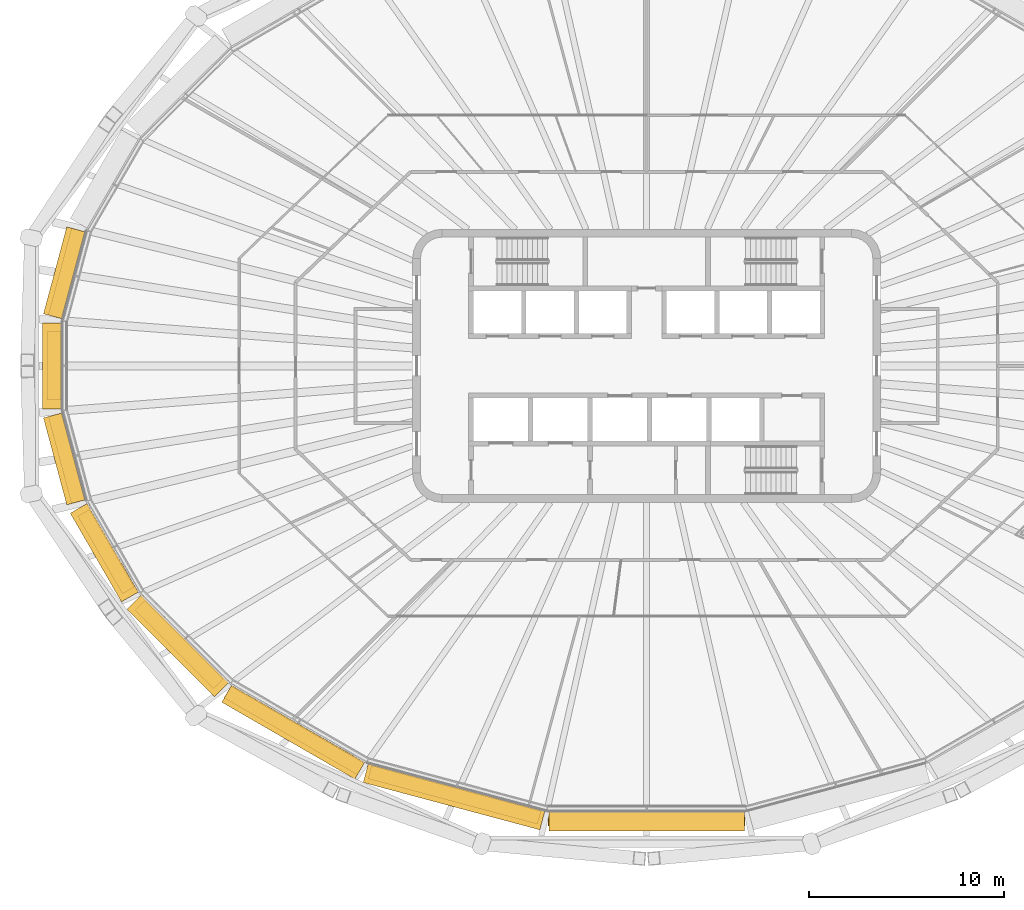
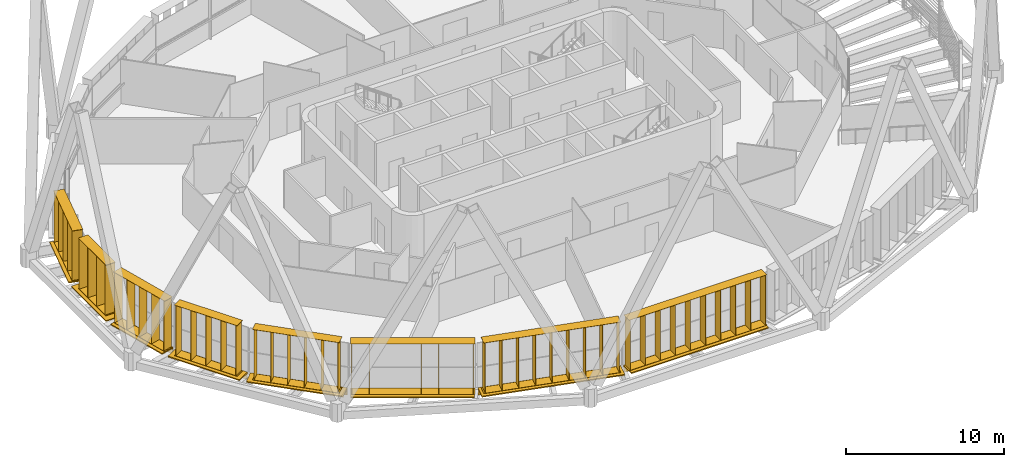
# One storey, part 16 of 20: 16 shading devices.
"""IFC4 building model written with IfcOpenShell, lengths in metres."""

from ifc_helpers import new_model, si_unit, direction, frame, origin, origin_2d, place, context, subcontext, project, spatial, rectangle, extrude, material, type_object, element, save


model = new_model("IFC4")

# Units and contexts
model_context = context("Model", 3, precision=1e-05, world=origin(), true_north=direction((0.0, 1.0)))
body_context = subcontext(model_context, "Body", "Model", "MODEL_VIEW")
ifc_project = project(units=[si_unit("LENGTHUNIT", "METRE"), si_unit("AREAUNIT", "SQUARE_METRE"), si_unit("VOLUMEUNIT", "CUBIC_METRE"), si_unit("PLANEANGLEUNIT", "RADIAN"), si_unit("MASSUNIT", "GRAM", prefix="KILO")], contexts=[model_context])

# Site, building, storey
site_placement = place(None, origin())
site = spatial("IfcSite", under=ifc_project, at=site_placement, CompositionType="ELEMENT")
building_placement = place(site_placement, origin())
building = spatial("IfcBuilding", under=site, at=building_placement, Name="Sahrelin Media Tower", CompositionType="ELEMENT")
storey_placement = place(building_placement, frame((0.0, 0.0, 267.0)))
storey = spatial("IfcBuildingStorey", under=building, at=storey_placement, Name="L58", CompositionType="ELEMENT", Elevation=267.0)

# Shading devices
ifc_material = material(Name="Champagne anodised aluminium 6063-T6", Category="aluminium")
shading_device_type_1 = type_object("IfcShadingDeviceType", Name="Fin cassette", PredefinedType="USERDEFINED", material=ifc_material)
placement_1 = place(storey_placement, frame((-29.343017578125, 4.632080078125, 0.0), z_axis=(0.0, 0.0, 1.0), x_axis=(0.258807731996, 0.965928857556, 0.0)))
element("IfcShadingDevice", 1, at=placement_1, inside=storey, type_object=shading_device_type_1, Name="L58:FIN:L58-11", ObjectType="FIN", PredefinedType="USERDEFINED", context=body_context, shape_type="SweptSolid", body=[
    extrude(rectangle(XDim=4.60009765625, YDim=0.699951171875, at=origin_2d()), frame((0.0, 0.419921875, 0.0)), (0.0, 0.0, 1.0), 0.02001953125),
    extrude(rectangle(XDim=4.60009765625, YDim=0.699951171875, at=origin_2d()), frame((0.0, 0.419921875, 3.89990234375)), (0.0, 0.0, 1.0), 0.02001953125),
    extrude(rectangle(XDim=0.02001953125, YDim=0.699951171875, at=origin_2d()), frame((-2.199951171875, 0.419921875, 0.010009765625), z_axis=(0.0, 0.0, 1.0), x_axis=(1.0, 0.0, 0.0)), (0.0, 0.0, 1.0), 3.89990234375),
    extrude(rectangle(XDim=0.02001953125, YDim=0.699951171875, at=origin_2d()), frame((-1.10009765625, 0.419921875, 0.010009765625), z_axis=(0.0, 0.0, 1.0), x_axis=(1.0, 0.0, 0.0)), (0.0, 0.0, 1.0), 3.89990234375),
    extrude(rectangle(XDim=0.02001953125, YDim=0.699951171875, at=origin_2d()), frame((0.0, 0.419921875, 0.010009765625), z_axis=(0.0, 0.0, 1.0), x_axis=(1.0, 0.0, 0.0)), (0.0, 0.0, 1.0), 3.89990234375),
    extrude(rectangle(XDim=0.02001953125, YDim=0.699951171875, at=origin_2d()), frame((1.10009765625, 0.419921875, 0.010009765625), z_axis=(0.0, 0.0, 1.0), x_axis=(1.0, 0.0, 0.0)), (0.0, 0.0, 1.0), 3.89990234375),
    extrude(rectangle(XDim=0.02001953125, YDim=0.699951171875, at=origin_2d()), frame((2.199951171875, 0.419921875, 0.010009765625), z_axis=(0.0, 0.0, 1.0), x_axis=(1.0, 0.0, 0.0)), (0.0, 0.0, 1.0), 3.89990234375),
])
placement_2 = place(storey_placement, frame((-29.966064453125, 0.0, 0.0), z_axis=(0.0, 0.0, 1.0), x_axis=(0.0, 1.0, 0.0)))
element("IfcShadingDevice", 2, at=placement_2, inside=storey, type_object=shading_device_type_1, Name="L58:FIN:L58-12", ObjectType="FIN", PredefinedType="USERDEFINED", context=body_context, shape_type="SweptSolid", body=[
    extrude(rectangle(XDim=3.5, YDim=0.699951171875, at=origin_2d()), frame((0.0, 0.419921875, 0.0)), (0.0, 0.0, 1.0), 0.02001953125),
    extrude(rectangle(XDim=3.5, YDim=0.699951171875, at=origin_2d()), frame((0.0, 0.419921875, 3.89990234375)), (0.0, 0.0, 1.0), 0.02001953125),
    extrude(rectangle(XDim=0.02001953125, YDim=0.699951171875, at=origin_2d()), frame((-1.64990234375, 0.419921875, 0.010009765625), z_axis=(0.0, 0.0, 1.0), x_axis=(1.0, 0.0, 0.0)), (0.0, 0.0, 1.0), 3.89990234375),
    extrude(rectangle(XDim=0.02001953125, YDim=0.699951171875, at=origin_2d()), frame((-0.550048828125, 0.419921875, 0.010009765625), z_axis=(0.0, 0.0, 1.0), x_axis=(1.0, 0.0, 0.0)), (0.0, 0.0, 1.0), 3.89990234375),
    extrude(rectangle(XDim=0.02001953125, YDim=0.699951171875, at=origin_2d()), frame((0.550048828125, 0.419921875, 0.010009765625), z_axis=(0.0, 0.0, 1.0), x_axis=(1.0, 0.0, 0.0)), (0.0, 0.0, 1.0), 3.89990234375),
    extrude(rectangle(XDim=0.02001953125, YDim=0.699951171875, at=origin_2d()), frame((1.64990234375, 0.419921875, 0.010009765625), z_axis=(0.0, 0.0, 1.0), x_axis=(1.0, 0.0, 0.0)), (0.0, 0.0, 1.0), 3.89990234375),
])
placement_3 = place(storey_placement, frame((-29.343017578125, -4.632080078125, 0.0), z_axis=(0.0, 0.0, 1.0), x_axis=(-0.258807731996, 0.965928857556, 0.0)))
element("IfcShadingDevice", 3, at=placement_3, inside=storey, type_object=shading_device_type_1, Name="L58:FIN:L58-13", ObjectType="FIN", PredefinedType="USERDEFINED", context=body_context, shape_type="SweptSolid", body=[
    extrude(rectangle(XDim=4.60009765625, YDim=0.699951171875, at=origin_2d()), frame((0.0, 0.419921875, 0.0)), (0.0, 0.0, 1.0), 0.02001953125),
    extrude(rectangle(XDim=4.60009765625, YDim=0.699951171875, at=origin_2d()), frame((0.0, 0.419921875, 3.89990234375)), (0.0, 0.0, 1.0), 0.02001953125),
    extrude(rectangle(XDim=0.02001953125, YDim=0.699951171875, at=origin_2d()), frame((-2.199951171875, 0.419921875, 0.010009765625), z_axis=(0.0, 0.0, 1.0), x_axis=(1.0, 0.0, 0.0)), (0.0, 0.0, 1.0), 3.89990234375),
    extrude(rectangle(XDim=0.02001953125, YDim=0.699951171875, at=origin_2d()), frame((-1.10009765625, 0.419921875, 0.010009765625), z_axis=(0.0, 0.0, 1.0), x_axis=(1.0, 0.0, 0.0)), (0.0, 0.0, 1.0), 3.89990234375),
    extrude(rectangle(XDim=0.02001953125, YDim=0.699951171875, at=origin_2d()), frame((0.0, 0.419921875, 0.010009765625), z_axis=(0.0, 0.0, 1.0), x_axis=(1.0, 0.0, 0.0)), (0.0, 0.0, 1.0), 3.89990234375),
    extrude(rectangle(XDim=0.02001953125, YDim=0.699951171875, at=origin_2d()), frame((1.10009765625, 0.419921875, 0.010009765625), z_axis=(0.0, 0.0, 1.0), x_axis=(1.0, 0.0, 0.0)), (0.0, 0.0, 1.0), 3.89990234375),
    extrude(rectangle(XDim=0.02001953125, YDim=0.699951171875, at=origin_2d()), frame((2.199951171875, 0.419921875, 0.010009765625), z_axis=(0.0, 0.0, 1.0), x_axis=(1.0, 0.0, 0.0)), (0.0, 0.0, 1.0), 3.89990234375),
])
placement_4 = place(storey_placement, frame((-27.357666015625, -9.3173828125, 0.0), z_axis=(0.0, 0.0, 1.0), x_axis=(-0.500011000363, 0.866019052629, 0.0)))
element("IfcShadingDevice", 4, at=placement_4, inside=storey, type_object=shading_device_type_1, Name="L58:FIN:L58-14", ObjectType="FIN", PredefinedType="USERDEFINED", context=body_context, shape_type="SweptSolid", body=[
    extrude(rectangle(XDim=4.60009765625, YDim=0.699951171875, at=origin_2d()), frame((0.0, 0.419921875, 0.0)), (0.0, 0.0, 1.0), 0.02001953125),
    extrude(rectangle(XDim=4.60009765625, YDim=0.699951171875, at=origin_2d()), frame((0.0, 0.419921875, 3.89990234375)), (0.0, 0.0, 1.0), 0.02001953125),
    extrude(rectangle(XDim=0.02001953125, YDim=0.699951171875, at=origin_2d()), frame((-2.199951171875, 0.419921875, 0.010009765625), z_axis=(0.0, 0.0, 1.0), x_axis=(1.0, 0.0, 0.0)), (0.0, 0.0, 1.0), 3.89990234375),
    extrude(rectangle(XDim=0.02001953125, YDim=0.699951171875, at=origin_2d()), frame((-1.10009765625, 0.419921875, 0.010009765625), z_axis=(0.0, 0.0, 1.0), x_axis=(1.0, 0.0, 0.0)), (0.0, 0.0, 1.0), 3.89990234375),
    extrude(rectangle(XDim=0.02001953125, YDim=0.699951171875, at=origin_2d()), frame((0.0, 0.419921875, 0.010009765625), z_axis=(0.0, 0.0, 1.0), x_axis=(1.0, 0.0, 0.0)), (0.0, 0.0, 1.0), 3.89990234375),
    extrude(rectangle(XDim=0.02001953125, YDim=0.699951171875, at=origin_2d()), frame((1.10009765625, 0.419921875, 0.010009765625), z_axis=(0.0, 0.0, 1.0), x_axis=(1.0, 0.0, 0.0)), (0.0, 0.0, 1.0), 3.89990234375),
    extrude(rectangle(XDim=0.02001953125, YDim=0.699951171875, at=origin_2d()), frame((2.199951171875, 0.419921875, 0.010009765625), z_axis=(0.0, 0.0, 1.0), x_axis=(1.0, 0.0, 0.0)), (0.0, 0.0, 1.0), 3.89990234375),
])
placement_5 = place(storey_placement, frame((-23.6767578125, -13.9951171875, 0.0), z_axis=(0.0, 0.0, 1.0), x_axis=(-0.707106781187, 0.707106781187, 0.0)))
element("IfcShadingDevice", 5, at=placement_5, inside=storey, type_object=shading_device_type_1, Name="L58:FIN:L58-15", ObjectType="FIN", PredefinedType="USERDEFINED", context=body_context, shape_type="SweptSolid", body=[
    extrude(rectangle(XDim=5.699951171875, YDim=0.699951171875, at=origin_2d()), frame((0.0, 0.419921875, 0.0)), (0.0, 0.0, 1.0), 0.02001953125),
    extrude(rectangle(XDim=5.699951171875, YDim=0.699951171875, at=origin_2d()), frame((0.0, 0.419921875, 3.89990234375)), (0.0, 0.0, 1.0), 0.02001953125),
    extrude(rectangle(XDim=0.02001953125, YDim=0.699951171875, at=origin_2d()), frame((-2.75, 0.419921875, 0.010009765625), z_axis=(0.0, 0.0, 1.0), x_axis=(1.0, 0.0, 0.0)), (0.0, 0.0, 1.0), 3.89990234375),
    extrude(rectangle(XDim=0.02001953125, YDim=0.699951171875, at=origin_2d()), frame((-1.64990234375, 0.419921875, 0.010009765625), z_axis=(0.0, 0.0, 1.0), x_axis=(1.0, 0.0, 0.0)), (0.0, 0.0, 1.0), 3.89990234375),
    extrude(rectangle(XDim=0.02001953125, YDim=0.699951171875, at=origin_2d()), frame((-0.550048828125, 0.419921875, 0.010009765625), z_axis=(0.0, 0.0, 1.0), x_axis=(1.0, 0.0, 0.0)), (0.0, 0.0, 1.0), 3.89990234375),
    extrude(rectangle(XDim=0.02001953125, YDim=0.699951171875, at=origin_2d()), frame((0.550048828125, 0.419921875, 0.010009765625), z_axis=(0.0, 0.0, 1.0), x_axis=(1.0, 0.0, 0.0)), (0.0, 0.0, 1.0), 3.89990234375),
    extrude(rectangle(XDim=0.02001953125, YDim=0.699951171875, at=origin_2d()), frame((1.64990234375, 0.419921875, 0.010009765625), z_axis=(0.0, 0.0, 1.0), x_axis=(1.0, 0.0, 0.0)), (0.0, 0.0, 1.0), 3.89990234375),
    extrude(rectangle(XDim=0.02001953125, YDim=0.699951171875, at=origin_2d()), frame((2.75, 0.419921875, 0.010009765625), z_axis=(0.0, 0.0, 1.0), x_axis=(1.0, 0.0, 0.0)), (0.0, 0.0, 1.0), 3.89990234375),
])
placement_6 = place(storey_placement, frame((-17.86083984375, -18.3330078125, 0.0), z_axis=(0.0, 0.0, 1.0), x_axis=(-0.866019052629, 0.500011000363, 0.0)))
element("IfcShadingDevice", 6, at=placement_6, inside=storey, type_object=shading_device_type_1, Name="L58:FIN:L58-16", ObjectType="FIN", PredefinedType="USERDEFINED", context=body_context, shape_type="SweptSolid", body=[
    extrude(rectangle(XDim=7.89990234375, YDim=0.699951171875, at=origin_2d()), frame((0.0, 0.419921875, 0.0)), (0.0, 0.0, 1.0), 0.02001953125),
    extrude(rectangle(XDim=7.89990234375, YDim=0.699951171875, at=origin_2d()), frame((0.0, 0.419921875, 3.89990234375)), (0.0, 0.0, 1.0), 0.02001953125),
    extrude(rectangle(XDim=0.02001953125, YDim=0.699951171875, at=origin_2d()), frame((-3.85009765625, 0.419921875, 0.010009765625), z_axis=(0.0, 0.0, 1.0), x_axis=(1.0, 0.0, 0.0)), (0.0, 0.0, 1.0), 3.89990234375),
    extrude(rectangle(XDim=0.02001953125, YDim=0.699951171875, at=origin_2d()), frame((-2.75, 0.419921875, 0.010009765625), z_axis=(0.0, 0.0, 1.0), x_axis=(1.0, 0.0, 0.0)), (0.0, 0.0, 1.0), 3.89990234375),
    extrude(rectangle(XDim=0.02001953125, YDim=0.699951171875, at=origin_2d()), frame((-1.64990234375, 0.419921875, 0.010009765625), z_axis=(0.0, 0.0, 1.0), x_axis=(1.0, 0.0, 0.0)), (0.0, 0.0, 1.0), 3.89990234375),
    extrude(rectangle(XDim=0.02001953125, YDim=0.699951171875, at=origin_2d()), frame((-0.550048828125, 0.419921875, 0.010009765625), z_axis=(0.0, 0.0, 1.0), x_axis=(1.0, 0.0, 0.0)), (0.0, 0.0, 1.0), 3.89990234375),
    extrude(rectangle(XDim=0.02001953125, YDim=0.699951171875, at=origin_2d()), frame((0.550048828125, 0.419921875, 0.010009765625), z_axis=(0.0, 0.0, 1.0), x_axis=(1.0, 0.0, 0.0)), (0.0, 0.0, 1.0), 3.89990234375),
    extrude(rectangle(XDim=0.02001953125, YDim=0.699951171875, at=origin_2d()), frame((1.64990234375, 0.419921875, 0.010009765625), z_axis=(0.0, 0.0, 1.0), x_axis=(1.0, 0.0, 0.0)), (0.0, 0.0, 1.0), 3.89990234375),
    extrude(rectangle(XDim=0.02001953125, YDim=0.699951171875, at=origin_2d()), frame((2.75, 0.419921875, 0.010009765625), z_axis=(0.0, 0.0, 1.0), x_axis=(1.0, 0.0, 0.0)), (0.0, 0.0, 1.0), 3.89990234375),
    extrude(rectangle(XDim=0.02001953125, YDim=0.699951171875, at=origin_2d()), frame((3.85009765625, 0.419921875, 0.010009765625), z_axis=(0.0, 0.0, 1.0), x_axis=(1.0, 0.0, 0.0)), (0.0, 0.0, 1.0), 3.89990234375),
])
placement_7 = place(storey_placement, frame((-9.73974609375, -21.59130859375, 0.0), z_axis=(0.0, 0.0, 1.0), x_axis=(-0.965928857556, 0.258807731996, 0.0)))
element("IfcShadingDevice", 7, at=placement_7, inside=storey, type_object=shading_device_type_1, Name="L58:FIN:L58-17", ObjectType="FIN", PredefinedType="USERDEFINED", context=body_context, shape_type="SweptSolid", body=[
    extrude(rectangle(XDim=9.0, YDim=0.699951171875, at=origin_2d()), frame((0.0, 0.419921875, 0.0)), (0.0, 0.0, 1.0), 0.02001953125),
    extrude(rectangle(XDim=9.0, YDim=0.699951171875, at=origin_2d()), frame((0.0, 0.419921875, 3.89990234375)), (0.0, 0.0, 1.0), 0.02001953125),
    extrude(rectangle(XDim=0.02001953125, YDim=0.699951171875, at=origin_2d()), frame((-4.39990234375, 0.419921875, 0.010009765625), z_axis=(0.0, 0.0, 1.0), x_axis=(1.0, 0.0, 0.0)), (0.0, 0.0, 1.0), 3.89990234375),
    extrude(rectangle(XDim=0.02001953125, YDim=0.699951171875, at=origin_2d()), frame((-3.300048828125, 0.419921875, 0.010009765625), z_axis=(0.0, 0.0, 1.0), x_axis=(1.0, 0.0, 0.0)), (0.0, 0.0, 1.0), 3.89990234375),
    extrude(rectangle(XDim=0.02001953125, YDim=0.699951171875, at=origin_2d()), frame((-2.199951171875, 0.419921875, 0.010009765625), z_axis=(0.0, 0.0, 1.0), x_axis=(1.0, 0.0, 0.0)), (0.0, 0.0, 1.0), 3.89990234375),
    extrude(rectangle(XDim=0.02001953125, YDim=0.699951171875, at=origin_2d()), frame((-1.10009765625, 0.419921875, 0.010009765625), z_axis=(0.0, 0.0, 1.0), x_axis=(1.0, 0.0, 0.0)), (0.0, 0.0, 1.0), 3.89990234375),
    extrude(rectangle(XDim=0.02001953125, YDim=0.699951171875, at=origin_2d()), frame((0.0, 0.419921875, 0.010009765625), z_axis=(0.0, 0.0, 1.0), x_axis=(1.0, 0.0, 0.0)), (0.0, 0.0, 1.0), 3.89990234375),
    extrude(rectangle(XDim=0.02001953125, YDim=0.699951171875, at=origin_2d()), frame((1.10009765625, 0.419921875, 0.010009765625), z_axis=(0.0, 0.0, 1.0), x_axis=(1.0, 0.0, 0.0)), (0.0, 0.0, 1.0), 3.89990234375),
    extrude(rectangle(XDim=0.02001953125, YDim=0.699951171875, at=origin_2d()), frame((2.199951171875, 0.419921875, 0.010009765625), z_axis=(0.0, 0.0, 1.0), x_axis=(1.0, 0.0, 0.0)), (0.0, 0.0, 1.0), 3.89990234375),
    extrude(rectangle(XDim=0.02001953125, YDim=0.699951171875, at=origin_2d()), frame((3.300048828125, 0.419921875, 0.010009765625), z_axis=(0.0, 0.0, 1.0), x_axis=(1.0, 0.0, 0.0)), (0.0, 0.0, 1.0), 3.89990234375),
    extrude(rectangle(XDim=0.02001953125, YDim=0.699951171875, at=origin_2d()), frame((4.39990234375, 0.419921875, 0.010009765625), z_axis=(0.0, 0.0, 1.0), x_axis=(1.0, 0.0, 0.0)), (0.0, 0.0, 1.0), 3.89990234375),
])
placement_8 = place(storey_placement, frame((0.0, -22.830078125, 0.0), z_axis=(0.0, 0.0, 1.0), x_axis=(-1.0, 0.0, 0.0)))
element("IfcShadingDevice", 8, at=placement_8, inside=storey, type_object=shading_device_type_1, Name="L58:FIN:L58-18", ObjectType="FIN", PredefinedType="USERDEFINED", context=body_context, shape_type="SweptSolid", body=[
    extrude(rectangle(XDim=10.10009765625, YDim=0.699951171875, at=origin_2d()), frame((0.0, 0.419921875, 0.0)), (0.0, 0.0, 1.0), 0.02001953125),
    extrude(rectangle(XDim=10.10009765625, YDim=0.699951171875, at=origin_2d()), frame((0.0, 0.419921875, 3.89990234375)), (0.0, 0.0, 1.0), 0.02001953125),
    extrude(rectangle(XDim=0.02001953125, YDim=0.699951171875, at=origin_2d()), frame((-4.949951171875, 0.419921875, 0.010009765625), z_axis=(0.0, 0.0, 1.0), x_axis=(1.0, 0.0, 0.0)), (0.0, 0.0, 1.0), 3.89990234375),
    extrude(rectangle(XDim=0.02001953125, YDim=0.699951171875, at=origin_2d()), frame((-3.85009765625, 0.419921875, 0.010009765625), z_axis=(0.0, 0.0, 1.0), x_axis=(1.0, 0.0, 0.0)), (0.0, 0.0, 1.0), 3.89990234375),
    extrude(rectangle(XDim=0.02001953125, YDim=0.699951171875, at=origin_2d()), frame((-2.75, 0.419921875, 0.010009765625), z_axis=(0.0, 0.0, 1.0), x_axis=(1.0, 0.0, 0.0)), (0.0, 0.0, 1.0), 3.89990234375),
    extrude(rectangle(XDim=0.02001953125, YDim=0.699951171875, at=origin_2d()), frame((-1.64990234375, 0.419921875, 0.010009765625), z_axis=(0.0, 0.0, 1.0), x_axis=(1.0, 0.0, 0.0)), (0.0, 0.0, 1.0), 3.89990234375),
    extrude(rectangle(XDim=0.02001953125, YDim=0.699951171875, at=origin_2d()), frame((-0.550048828125, 0.419921875, 0.010009765625), z_axis=(0.0, 0.0, 1.0), x_axis=(1.0, 0.0, 0.0)), (0.0, 0.0, 1.0), 3.89990234375),
    extrude(rectangle(XDim=0.02001953125, YDim=0.699951171875, at=origin_2d()), frame((0.550048828125, 0.419921875, 0.010009765625), z_axis=(0.0, 0.0, 1.0), x_axis=(1.0, 0.0, 0.0)), (0.0, 0.0, 1.0), 3.89990234375),
    extrude(rectangle(XDim=0.02001953125, YDim=0.699951171875, at=origin_2d()), frame((1.64990234375, 0.419921875, 0.010009765625), z_axis=(0.0, 0.0, 1.0), x_axis=(1.0, 0.0, 0.0)), (0.0, 0.0, 1.0), 3.89990234375),
    extrude(rectangle(XDim=0.02001953125, YDim=0.699951171875, at=origin_2d()), frame((2.75, 0.419921875, 0.010009765625), z_axis=(0.0, 0.0, 1.0), x_axis=(1.0, 0.0, 0.0)), (0.0, 0.0, 1.0), 3.89990234375),
    extrude(rectangle(XDim=0.02001953125, YDim=0.699951171875, at=origin_2d()), frame((3.85009765625, 0.419921875, 0.010009765625), z_axis=(0.0, 0.0, 1.0), x_axis=(1.0, 0.0, 0.0)), (0.0, 0.0, 1.0), 3.89990234375),
    extrude(rectangle(XDim=0.02001953125, YDim=0.699951171875, at=origin_2d()), frame((4.949951171875, 0.419921875, 0.010009765625), z_axis=(0.0, 0.0, 1.0), x_axis=(1.0, 0.0, 0.0)), (0.0, 0.0, 1.0), 3.89990234375),
])
shading_device_type_2 = type_object("IfcShadingDeviceType", Name="Sunshade band", PredefinedType="USERDEFINED", material=ifc_material)
element("IfcShadingDevice", 9, at=placement_1, inside=storey, type_object=shading_device_type_2, Name="L58:SUN:L58-11", ObjectType="SUNSHADE", PredefinedType="USERDEFINED", context=body_context, shape_type="SweptSolid", body=[
    extrude(rectangle(XDim=4.615478515625, YDim=0.050048828125, at=origin_2d()), frame((0.0, 0.044921875, -0.55126953125)), (0.0, 0.0, 1.0), 0.471435546875),
    extrude(rectangle(XDim=4.615478515625, YDim=1.0, at=origin_2d()), frame((0.0, 0.52001953125, -0.080078125)), (0.0, 0.0, 1.0), 0.080078125),
    extrude(rectangle(XDim=0.10009765625, YDim=0.074951171875, at=origin_2d()), frame((-2.207763671875, -0.017578125, -0.47021484375)), (0.0, 0.0, 1.0), 0.300048828125),
    extrude(rectangle(XDim=0.10009765625, YDim=0.074951171875, at=origin_2d()), frame((-0.73583984375, -0.017578125, -0.47021484375)), (0.0, 0.0, 1.0), 0.300048828125),
    extrude(rectangle(XDim=0.10009765625, YDim=0.074951171875, at=origin_2d()), frame((0.73583984375, -0.017578125, -0.47021484375)), (0.0, 0.0, 1.0), 0.300048828125),
    extrude(rectangle(XDim=0.10009765625, YDim=0.074951171875, at=origin_2d()), frame((2.207763671875, -0.017578125, -0.47021484375)), (0.0, 0.0, 1.0), 0.300048828125),
])
element("IfcShadingDevice", 10, at=placement_2, inside=storey, type_object=shading_device_type_2, Name="L58:SUN:L58-12", ObjectType="SUNSHADE", PredefinedType="USERDEFINED", context=body_context, shape_type="SweptSolid", body=[
    extrude(rectangle(XDim=4.4130859375, YDim=0.050048828125, at=origin_2d()), frame((0.0, 0.044921875, -0.55126953125)), (0.0, 0.0, 1.0), 0.471435546875),
    extrude(rectangle(XDim=4.4130859375, YDim=1.0, at=origin_2d()), frame((0.0, 0.52001953125, -0.080078125)), (0.0, 0.0, 1.0), 0.080078125),
    extrude(rectangle(XDim=0.10009765625, YDim=0.074951171875, at=origin_2d()), frame((-2.1064453125, -0.017578125, -0.47021484375)), (0.0, 0.0, 1.0), 0.300048828125),
    extrude(rectangle(XDim=0.10009765625, YDim=0.074951171875, at=origin_2d()), frame((-0.7021484375, -0.017578125, -0.47021484375)), (0.0, 0.0, 1.0), 0.300048828125),
    extrude(rectangle(XDim=0.10009765625, YDim=0.074951171875, at=origin_2d()), frame((0.7021484375, -0.017578125, -0.47021484375)), (0.0, 0.0, 1.0), 0.300048828125),
    extrude(rectangle(XDim=0.10009765625, YDim=0.074951171875, at=origin_2d()), frame((2.1064453125, -0.017578125, -0.47021484375)), (0.0, 0.0, 1.0), 0.300048828125),
])
element("IfcShadingDevice", 11, at=placement_3, inside=storey, type_object=shading_device_type_2, Name="L58:SUN:L58-13", ObjectType="SUNSHADE", PredefinedType="USERDEFINED", context=body_context, shape_type="SweptSolid", body=[
    extrude(rectangle(XDim=4.615478515625, YDim=0.050048828125, at=origin_2d()), frame((0.0, 0.044921875, -0.55126953125)), (0.0, 0.0, 1.0), 0.471435546875),
    extrude(rectangle(XDim=4.615478515625, YDim=1.0, at=origin_2d()), frame((0.0, 0.52001953125, -0.080078125)), (0.0, 0.0, 1.0), 0.080078125),
    extrude(rectangle(XDim=0.10009765625, YDim=0.074951171875, at=origin_2d()), frame((-2.207763671875, -0.017578125, -0.47021484375)), (0.0, 0.0, 1.0), 0.300048828125),
    extrude(rectangle(XDim=0.10009765625, YDim=0.074951171875, at=origin_2d()), frame((-0.73583984375, -0.017578125, -0.47021484375)), (0.0, 0.0, 1.0), 0.300048828125),
    extrude(rectangle(XDim=0.10009765625, YDim=0.074951171875, at=origin_2d()), frame((0.73583984375, -0.017578125, -0.47021484375)), (0.0, 0.0, 1.0), 0.300048828125),
    extrude(rectangle(XDim=0.10009765625, YDim=0.074951171875, at=origin_2d()), frame((2.207763671875, -0.017578125, -0.47021484375)), (0.0, 0.0, 1.0), 0.300048828125),
])
element("IfcShadingDevice", 12, at=placement_4, inside=storey, type_object=shading_device_type_2, Name="L58:SUN:L58-14", ObjectType="SUNSHADE", PredefinedType="USERDEFINED", context=body_context, shape_type="SweptSolid", body=[
    extrude(rectangle(XDim=5.248779296875, YDim=0.050048828125, at=origin_2d()), frame((0.0, 0.044921875, -0.55126953125)), (0.0, 0.0, 1.0), 0.471435546875),
    extrude(rectangle(XDim=5.248779296875, YDim=1.0, at=origin_2d()), frame((0.0, 0.52001953125, -0.080078125)), (0.0, 0.0, 1.0), 0.080078125),
    extrude(rectangle(XDim=0.10009765625, YDim=0.074951171875, at=origin_2d()), frame((-2.5244140625, -0.017578125, -0.47021484375)), (0.0, 0.0, 1.0), 0.300048828125),
    extrude(rectangle(XDim=0.10009765625, YDim=0.074951171875, at=origin_2d()), frame((-0.841552734375, -0.017578125, -0.47021484375)), (0.0, 0.0, 1.0), 0.300048828125),
    extrude(rectangle(XDim=0.10009765625, YDim=0.074951171875, at=origin_2d()), frame((0.841552734375, -0.017578125, -0.47021484375)), (0.0, 0.0, 1.0), 0.300048828125),
    extrude(rectangle(XDim=0.10009765625, YDim=0.074951171875, at=origin_2d()), frame((2.5244140625, -0.017578125, -0.47021484375)), (0.0, 0.0, 1.0), 0.300048828125),
])
element("IfcShadingDevice", 13, at=placement_5, inside=storey, type_object=shading_device_type_2, Name="L58:SUN:L58-15", ObjectType="SUNSHADE", PredefinedType="USERDEFINED", context=body_context, shape_type="SweptSolid", body=[
    extrude(rectangle(XDim=6.35791015625, YDim=0.050048828125, at=origin_2d()), frame((0.0, 0.044921875, -0.55126953125)), (0.0, 0.0, 1.0), 0.471435546875),
    extrude(rectangle(XDim=6.35791015625, YDim=1.0, at=origin_2d()), frame((0.0, 0.52001953125, -0.080078125)), (0.0, 0.0, 1.0), 0.080078125),
    extrude(rectangle(XDim=0.10009765625, YDim=0.074951171875, at=origin_2d()), frame((-3.0791015625, -0.017578125, -0.47021484375)), (0.0, 0.0, 1.0), 0.300048828125),
    extrude(rectangle(XDim=0.10009765625, YDim=0.074951171875, at=origin_2d()), frame((-1.53955078125, -0.017578125, -0.47021484375)), (0.0, 0.0, 1.0), 0.300048828125),
    extrude(rectangle(XDim=0.10009765625, YDim=0.074951171875, at=origin_2d()), frame((0.0, -0.017578125, -0.47021484375)), (0.0, 0.0, 1.0), 0.300048828125),
    extrude(rectangle(XDim=0.10009765625, YDim=0.074951171875, at=origin_2d()), frame((1.53955078125, -0.017578125, -0.47021484375)), (0.0, 0.0, 1.0), 0.300048828125),
    extrude(rectangle(XDim=0.10009765625, YDim=0.074951171875, at=origin_2d()), frame((3.0791015625, -0.017578125, -0.47021484375)), (0.0, 0.0, 1.0), 0.300048828125),
])
element("IfcShadingDevice", 14, at=placement_6, inside=storey, type_object=shading_device_type_2, Name="L58:SUN:L58-16", ObjectType="SUNSHADE", PredefinedType="USERDEFINED", context=body_context, shape_type="SweptSolid", body=[
    extrude(rectangle(XDim=7.876708984375, YDim=0.050048828125, at=origin_2d()), frame((0.0, 0.044921875, -0.55126953125)), (0.0, 0.0, 1.0), 0.471435546875),
    extrude(rectangle(XDim=7.876708984375, YDim=1.0, at=origin_2d()), frame((0.0, 0.52001953125, -0.080078125)), (0.0, 0.0, 1.0), 0.080078125),
    extrude(rectangle(XDim=0.10009765625, YDim=0.074951171875, at=origin_2d()), frame((-3.83837890625, -0.017578125, -0.47021484375)), (0.0, 0.0, 1.0), 0.300048828125),
    extrude(rectangle(XDim=0.10009765625, YDim=0.074951171875, at=origin_2d()), frame((-1.919189453125, -0.017578125, -0.47021484375)), (0.0, 0.0, 1.0), 0.300048828125),
    extrude(rectangle(XDim=0.10009765625, YDim=0.074951171875, at=origin_2d()), frame((0.0, -0.017578125, -0.47021484375)), (0.0, 0.0, 1.0), 0.300048828125),
    extrude(rectangle(XDim=0.10009765625, YDim=0.074951171875, at=origin_2d()), frame((1.919189453125, -0.017578125, -0.47021484375)), (0.0, 0.0, 1.0), 0.300048828125),
    extrude(rectangle(XDim=0.10009765625, YDim=0.074951171875, at=origin_2d()), frame((3.83837890625, -0.017578125, -0.47021484375)), (0.0, 0.0, 1.0), 0.300048828125),
])
element("IfcShadingDevice", 15, at=placement_7, inside=storey, type_object=shading_device_type_2, Name="L58:SUN:L58-17", ObjectType="SUNSHADE", PredefinedType="USERDEFINED", context=body_context, shape_type="SweptSolid", body=[
    extrude(rectangle(XDim=9.373779296875, YDim=0.050048828125, at=origin_2d()), frame((0.0, 0.044921875, -0.55126953125)), (0.0, 0.0, 1.0), 0.471435546875),
    extrude(rectangle(XDim=9.373779296875, YDim=1.0, at=origin_2d()), frame((0.0, 0.52001953125, -0.080078125)), (0.0, 0.0, 1.0), 0.080078125),
    extrude(rectangle(XDim=0.10009765625, YDim=0.074951171875, at=origin_2d()), frame((-4.5869140625, -0.017578125, -0.47021484375)), (0.0, 0.0, 1.0), 0.300048828125),
    extrude(rectangle(XDim=0.10009765625, YDim=0.074951171875, at=origin_2d()), frame((-2.752197265625, -0.017578125, -0.47021484375)), (0.0, 0.0, 1.0), 0.300048828125),
    extrude(rectangle(XDim=0.10009765625, YDim=0.074951171875, at=origin_2d()), frame((-0.91748046875, -0.017578125, -0.47021484375)), (0.0, 0.0, 1.0), 0.300048828125),
    extrude(rectangle(XDim=0.10009765625, YDim=0.074951171875, at=origin_2d()), frame((0.91748046875, -0.017578125, -0.47021484375)), (0.0, 0.0, 1.0), 0.300048828125),
    extrude(rectangle(XDim=0.10009765625, YDim=0.074951171875, at=origin_2d()), frame((2.752197265625, -0.017578125, -0.47021484375)), (0.0, 0.0, 1.0), 0.300048828125),
    extrude(rectangle(XDim=0.10009765625, YDim=0.074951171875, at=origin_2d()), frame((4.5869140625, -0.017578125, -0.47021484375)), (0.0, 0.0, 1.0), 0.300048828125),
])
element("IfcShadingDevice", 16, at=placement_8, inside=storey, type_object=shading_device_type_2, Name="L58:SUN:L58-18", ObjectType="SUNSHADE", PredefinedType="USERDEFINED", context=body_context, shape_type="SweptSolid", body=[
    extrude(rectangle(XDim=10.031982421875, YDim=0.050048828125, at=origin_2d()), frame((0.0, 0.044921875, -0.55126953125)), (0.0, 0.0, 1.0), 0.471435546875),
    extrude(rectangle(XDim=10.031982421875, YDim=1.0, at=origin_2d()), frame((0.0, 0.52001953125, -0.080078125)), (0.0, 0.0, 1.0), 0.080078125),
    extrude(rectangle(XDim=0.10009765625, YDim=0.074951171875, at=origin_2d()), frame((-4.916015625, -0.017578125, -0.47021484375)), (0.0, 0.0, 1.0), 0.300048828125),
    extrude(rectangle(XDim=0.10009765625, YDim=0.074951171875, at=origin_2d()), frame((-3.27734375, -0.017578125, -0.47021484375)), (0.0, 0.0, 1.0), 0.300048828125),
    extrude(rectangle(XDim=0.10009765625, YDim=0.074951171875, at=origin_2d()), frame((-1.638671875, -0.017578125, -0.47021484375)), (0.0, 0.0, 1.0), 0.300048828125),
    extrude(rectangle(XDim=0.10009765625, YDim=0.074951171875, at=origin_2d()), frame((0.0, -0.017578125, -0.47021484375)), (0.0, 0.0, 1.0), 0.300048828125),
    extrude(rectangle(XDim=0.10009765625, YDim=0.074951171875, at=origin_2d()), frame((1.638671875, -0.017578125, -0.47021484375)), (0.0, 0.0, 1.0), 0.300048828125),
    extrude(rectangle(XDim=0.10009765625, YDim=0.074951171875, at=origin_2d()), frame((3.27734375, -0.017578125, -0.47021484375)), (0.0, 0.0, 1.0), 0.300048828125),
    extrude(rectangle(XDim=0.10009765625, YDim=0.074951171875, at=origin_2d()), frame((4.916015625, -0.017578125, -0.47021484375)), (0.0, 0.0, 1.0), 0.300048828125),
])

save(model, "model.ifc")
